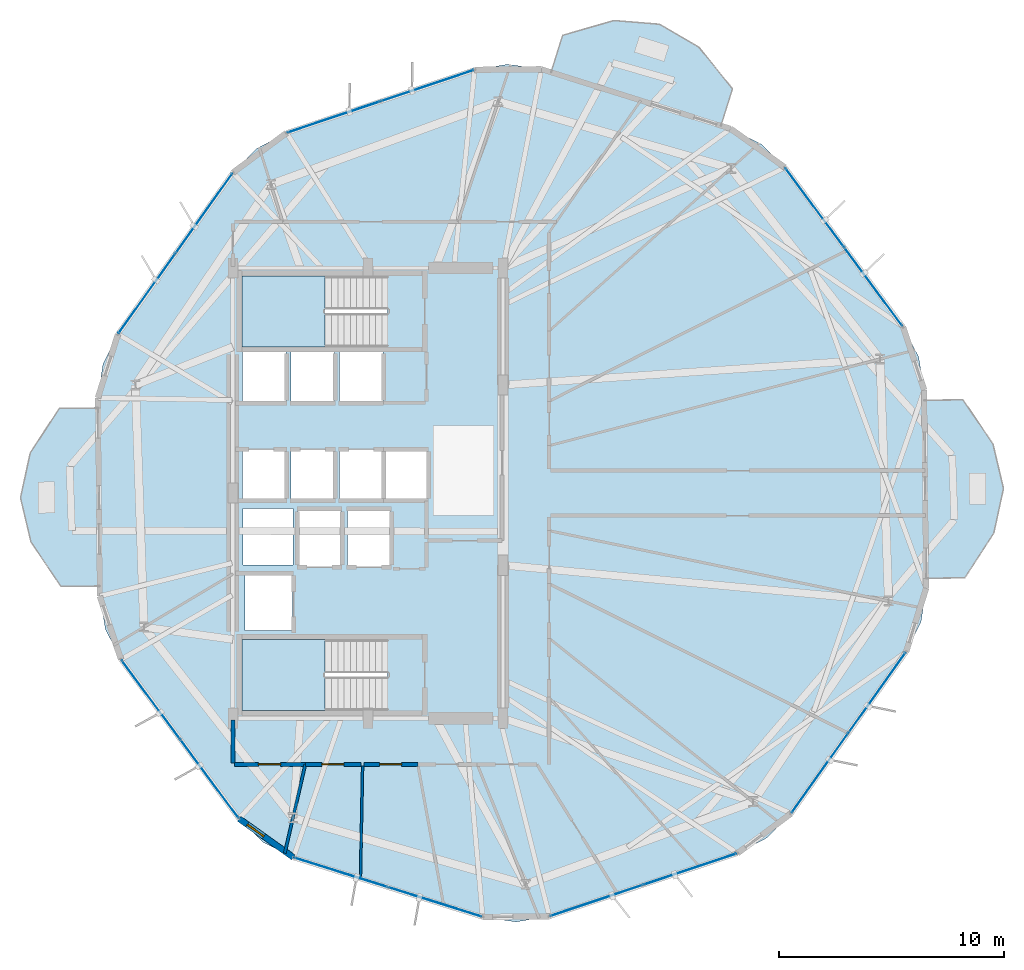
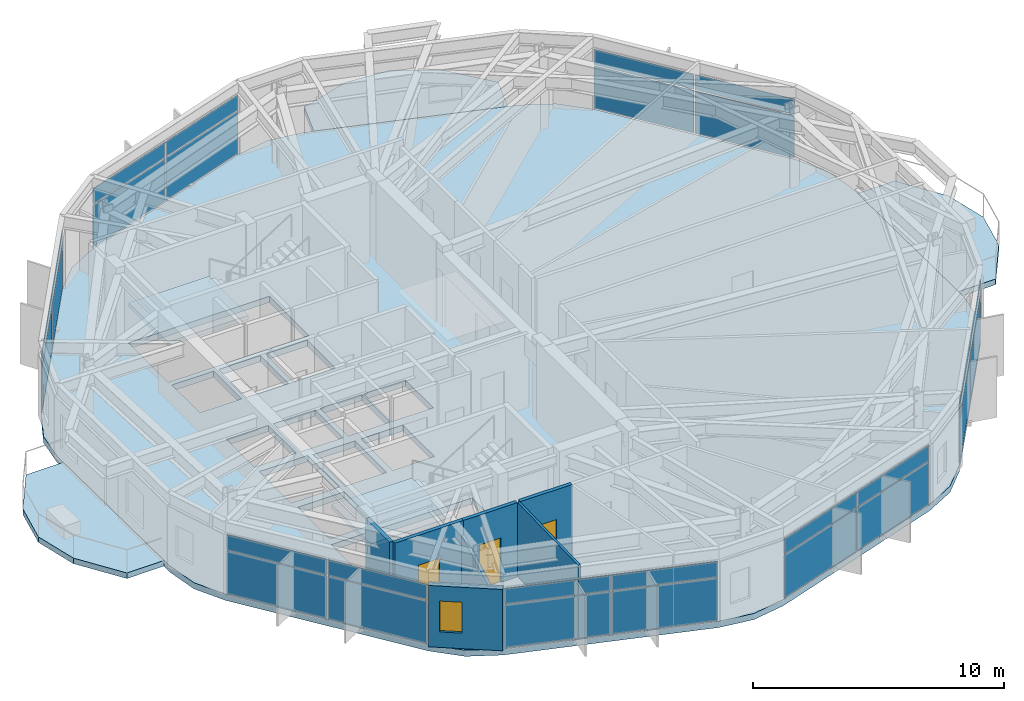
# One storey, part 20 of 27: 28 plates, 7 walls, 6 slabs, 3 doors, 1 window, 4 openings, 9 elements without a shape of their own.
"""IFC4 building model written with IfcOpenShell, lengths in metres."""

from ifc_helpers import new_model, si_unit, direction, frame, frame_2d, origin, origin_2d, place, context, subcontext, project, spatial, polyline, rectangle, outline, extrude, material, layer, layer_set, type_object, element, fill, aggregate, save


model = new_model("IFC4")

# Units and contexts
model_context = context("Model", 3, precision=1e-05, world=origin(), true_north=direction((0.0, 1.0)))
body_context = subcontext(model_context, "Body", "Model", "MODEL_VIEW")
ifc_project = project(units=[si_unit("LENGTHUNIT", "METRE"), si_unit("AREAUNIT", "SQUARE_METRE"), si_unit("VOLUMEUNIT", "CUBIC_METRE"), si_unit("PLANEANGLEUNIT", "RADIAN"), si_unit("MASSUNIT", "GRAM", prefix="KILO")], contexts=[model_context])

# Site, building, storey
site_placement = place(None, origin())
site = spatial("IfcSite", under=ifc_project, at=site_placement, CompositionType="ELEMENT")
building_placement = place(site_placement, origin())
building = spatial("IfcBuilding", under=site, at=building_placement, Name="Soratama Intermodal Tower", CompositionType="ELEMENT")
storey_placement = place(building_placement, frame((0.0, 0.0, 103.0)))
storey = spatial("IfcBuildingStorey", under=building, at=storey_placement, Name="L24", CompositionType="ELEMENT", Elevation=103.0)

# Curtain wall, plates
ifc_material_1 = material(Name="Double-glazed aluminium curtain wall", Category="aluminium")
ifc_layer_1 = layer(ifc_material_1, 0.159912109375)
ifc_layer_set_1 = layer_set([ifc_layer_1], Name="Double-glazed aluminium curtain wall")
curtain_wall_type = type_object("IfcCurtainWallType", Name="CW-SYS-3", PredefinedType="NOTDEFINED", material=ifc_layer_set_1)
curtain_wall_1_placement = place(storey_placement, origin())
curtain_wall_1 = element("IfcCurtainWall", 1, at=curtain_wall_1_placement, inside=storey, type_object=curtain_wall_type, Name="L24 Faceted Curtain Wall F01", PredefinedType="NOTDEFINED")
ifc_material_2 = material(Name="Low-E laminated double glazing", Category="glass")
ifc_layer_2 = layer(ifc_material_2, 0.028076171875)
ifc_layer_set_2 = layer_set([ifc_layer_2], Name="Low-E laminated double glazing")
plate_type = type_object("IfcPlateType", Name="PT-CWP-3", PredefinedType="CURTAIN_PANEL", material=ifc_layer_set_2)
plate_1_placement = place(storey_placement, frame((61.046630859375, 34.16943359375, 0.06005859375), z_axis=(0.0, 0.0, 1.0), x_axis=(-0.595382598685, 0.803442319761, 0.0)))
plate_1 = element("IfcPlate", 2, at=plate_1_placement, type_object=plate_type, Name="CW-3 panel 1.1", PredefinedType="CURTAIN_PANEL", context=body_context, shape_type="SweptSolid", body=[
    extrude(rectangle(XDim=4.313232421875, YDim=0.028076171875, at=origin_2d()), origin(), (0.0, 0.0, 1.0), 2.06005859375),
])
plate_2_placement = place(storey_placement, frame((61.046630859375, 34.16943359375, 2.18017578125), z_axis=(0.0, 0.0, 1.0), x_axis=(-0.595382598685, 0.803442319761, 0.0)))
plate_2 = element("IfcPlate", 3, at=plate_2_placement, type_object=plate_type, Name="CW-3 panel 1.2", PredefinedType="CURTAIN_PANEL", context=body_context, shape_type="SweptSolid", body=[
    extrude(rectangle(XDim=4.313232421875, YDim=0.028076171875, at=origin_2d()), origin(), (0.0, 0.0, 1.0), 0.739013671875),
])
plate_3_placement = place(storey_placement, frame((58.44287109375, 37.683349609375, 0.06005859375), z_axis=(0.0, 0.0, 1.0), x_axis=(-0.595382598685, 0.803442319761, 0.0)))
plate_3 = element("IfcPlate", 4, at=plate_3_placement, type_object=plate_type, Name="CW-3 panel 2.1", PredefinedType="CURTAIN_PANEL", context=body_context, shape_type="SweptSolid", body=[
    extrude(rectangle(XDim=4.313232421875, YDim=0.028076171875, at=origin_2d()), origin(), (0.0, 0.0, 1.0), 2.06005859375),
])
plate_4_placement = place(storey_placement, frame((58.44287109375, 37.683349609375, 2.18017578125), z_axis=(0.0, 0.0, 1.0), x_axis=(-0.595382598685, 0.803442319761, 0.0)))
plate_4 = element("IfcPlate", 5, at=plate_4_placement, type_object=plate_type, Name="CW-3 panel 2.2", PredefinedType="CURTAIN_PANEL", context=body_context, shape_type="SweptSolid", body=[
    extrude(rectangle(XDim=4.313232421875, YDim=0.028076171875, at=origin_2d()), origin(), (0.0, 0.0, 1.0), 0.739013671875),
])
aggregate(curtain_wall_1, [plate_1, plate_2, plate_3, plate_4])

curtain_wall_2_placement = place(storey_placement, origin())
curtain_wall_2 = element("IfcCurtainWall", 6, at=curtain_wall_2_placement, inside=storey, type_object=curtain_wall_type, Name="L24 Faceted Curtain Wall F03", PredefinedType="NOTDEFINED")
plate_5_placement = place(storey_placement, frame((41.23779296875, 43.0947265625, 0.06005859375), z_axis=(0.0, 0.0, 1.0), x_axis=(-0.948104874025, -0.317957776835, 0.0)))
plate_5 = element("IfcPlate", 7, at=plate_5_placement, type_object=plate_type, Name="CW-3 panel 1.1", PredefinedType="CURTAIN_PANEL", context=body_context, shape_type="SweptSolid", body=[
    extrude(rectangle(XDim=4.313232421875, YDim=0.028076171875, at=origin_2d()), origin(), (0.0, 0.0, 1.0), 2.06005859375),
])
plate_6_placement = place(storey_placement, frame((41.23779296875, 43.0947265625, 2.18017578125), z_axis=(0.0, 0.0, 1.0), x_axis=(-0.948104874025, -0.317957776835, 0.0)))
plate_6 = element("IfcPlate", 8, at=plate_6_placement, type_object=plate_type, Name="CW-3 panel 1.2", PredefinedType="CURTAIN_PANEL", context=body_context, shape_type="SweptSolid", body=[
    extrude(rectangle(XDim=4.313232421875, YDim=0.028076171875, at=origin_2d()), origin(), (0.0, 0.0, 1.0), 0.739013671875),
])
plate_7_placement = place(storey_placement, frame((37.091552734375, 41.7041015625, 0.06005859375), z_axis=(0.0, 0.0, 1.0), x_axis=(-0.948104874025, -0.317957776835, 0.0)))
plate_7 = element("IfcPlate", 9, at=plate_7_placement, type_object=plate_type, Name="CW-3 panel 2.1", PredefinedType="CURTAIN_PANEL", context=body_context, shape_type="SweptSolid", body=[
    extrude(rectangle(XDim=4.313232421875, YDim=0.028076171875, at=origin_2d()), origin(), (0.0, 0.0, 1.0), 2.06005859375),
])
plate_8_placement = place(storey_placement, frame((37.091552734375, 41.7041015625, 2.18017578125), z_axis=(0.0, 0.0, 1.0), x_axis=(-0.948104874025, -0.317957776835, 0.0)))
plate_8 = element("IfcPlate", 10, at=plate_8_placement, type_object=plate_type, Name="CW-3 panel 2.2", PredefinedType="CURTAIN_PANEL", context=body_context, shape_type="SweptSolid", body=[
    extrude(rectangle(XDim=4.313232421875, YDim=0.028076171875, at=origin_2d()), origin(), (0.0, 0.0, 1.0), 0.739013671875),
])
aggregate(curtain_wall_2, [plate_5, plate_6, plate_7, plate_8])

curtain_wall_3_placement = place(storey_placement, origin())
curtain_wall_3 = element("IfcCurtainWall", 11, at=curtain_wall_3_placement, inside=storey, type_object=curtain_wall_type, Name="L24 Faceted Curtain Wall F04", PredefinedType="NOTDEFINED")
plate_9_placement = place(storey_placement, frame((31.320556640625, 37.427490234375, 0.06005859375), z_axis=(0.0, 0.0, 1.0), x_axis=(-0.580136668585, -0.814519150028, 0.0)))
plate_9 = element("IfcPlate", 12, at=plate_9_placement, type_object=plate_type, Name="CW-3 panel 1.1", PredefinedType="CURTAIN_PANEL", context=body_context, shape_type="SweptSolid", body=[
    extrude(rectangle(XDim=4.313232421875, YDim=0.028076171875, at=origin_2d()), origin(), (0.0, 0.0, 1.0), 2.06005859375),
])
plate_10_placement = place(storey_placement, frame((31.320556640625, 37.427490234375, 2.18017578125), z_axis=(0.0, 0.0, 1.0), x_axis=(-0.580136668585, -0.814519150028, 0.0)))
plate_10 = element("IfcPlate", 13, at=plate_10_placement, type_object=plate_type, Name="CW-3 panel 1.2", PredefinedType="CURTAIN_PANEL", context=body_context, shape_type="SweptSolid", body=[
    extrude(rectangle(XDim=4.313232421875, YDim=0.028076171875, at=origin_2d()), origin(), (0.0, 0.0, 1.0), 0.739013671875),
])
plate_11_placement = place(storey_placement, frame((28.783447265625, 33.865478515625, 0.06005859375), z_axis=(0.0, 0.0, 1.0), x_axis=(-0.580136668585, -0.814519150028, 0.0)))
plate_11 = element("IfcPlate", 14, at=plate_11_placement, type_object=plate_type, Name="CW-3 panel 2.1", PredefinedType="CURTAIN_PANEL", context=body_context, shape_type="SweptSolid", body=[
    extrude(rectangle(XDim=4.313232421875, YDim=0.028076171875, at=origin_2d()), origin(), (0.0, 0.0, 1.0), 2.06005859375),
])
plate_12_placement = place(storey_placement, frame((28.783447265625, 33.865478515625, 2.18017578125), z_axis=(0.0, 0.0, 1.0), x_axis=(-0.580136668585, -0.814519150028, 0.0)))
plate_12 = element("IfcPlate", 15, at=plate_12_placement, type_object=plate_type, Name="CW-3 panel 2.2", PredefinedType="CURTAIN_PANEL", context=body_context, shape_type="SweptSolid", body=[
    extrude(rectangle(XDim=4.313232421875, YDim=0.028076171875, at=origin_2d()), origin(), (0.0, 0.0, 1.0), 0.739013671875),
])
aggregate(curtain_wall_3, [plate_9, plate_10, plate_11, plate_12])

curtain_wall_4_placement = place(storey_placement, origin())
curtain_wall_4 = element("IfcCurtainWall", 16, at=curtain_wall_4_placement, inside=storey, type_object=curtain_wall_type, Name="L24 Faceted Curtain Wall F06", PredefinedType="NOTDEFINED")
plate_13_placement = place(storey_placement, frame((28.953369140625, 15.83056640625, 0.06005859375), z_axis=(0.0, 0.0, 1.0), x_axis=(0.595382598685, -0.803442319761, 0.0)))
plate_13 = element("IfcPlate", 17, at=plate_13_placement, type_object=plate_type, Name="CW-3 panel 1.1", PredefinedType="CURTAIN_PANEL", context=body_context, shape_type="SweptSolid", body=[
    extrude(rectangle(XDim=4.313232421875, YDim=0.028076171875, at=origin_2d()), origin(), (0.0, 0.0, 1.0), 2.06005859375),
])
plate_14_placement = place(storey_placement, frame((28.953369140625, 15.83056640625, 2.18017578125), z_axis=(0.0, 0.0, 1.0), x_axis=(0.595382598685, -0.803442319761, 0.0)))
plate_14 = element("IfcPlate", 18, at=plate_14_placement, type_object=plate_type, Name="CW-3 panel 1.2", PredefinedType="CURTAIN_PANEL", context=body_context, shape_type="SweptSolid", body=[
    extrude(rectangle(XDim=4.313232421875, YDim=0.028076171875, at=origin_2d()), origin(), (0.0, 0.0, 1.0), 0.739013671875),
])
plate_15_placement = place(storey_placement, frame((31.55712890625, 12.316650390625, 0.06005859375), z_axis=(0.0, 0.0, 1.0), x_axis=(0.595382598685, -0.803442319761, 0.0)))
plate_15 = element("IfcPlate", 19, at=plate_15_placement, type_object=plate_type, Name="CW-3 panel 2.1", PredefinedType="CURTAIN_PANEL", context=body_context, shape_type="SweptSolid", body=[
    extrude(rectangle(XDim=4.313232421875, YDim=0.028076171875, at=origin_2d()), origin(), (0.0, 0.0, 1.0), 2.06005859375),
])
plate_16_placement = place(storey_placement, frame((31.55712890625, 12.316650390625, 2.18017578125), z_axis=(0.0, 0.0, 1.0), x_axis=(0.595382598685, -0.803442319761, 0.0)))
plate_16 = element("IfcPlate", 20, at=plate_16_placement, type_object=plate_type, Name="CW-3 panel 2.2", PredefinedType="CURTAIN_PANEL", context=body_context, shape_type="SweptSolid", body=[
    extrude(rectangle(XDim=4.313232421875, YDim=0.028076171875, at=origin_2d()), origin(), (0.0, 0.0, 1.0), 0.739013671875),
])
aggregate(curtain_wall_4, [plate_13, plate_14, plate_15, plate_16])

curtain_wall_5_placement = place(storey_placement, origin())
curtain_wall_5 = element("IfcCurtainWall", 21, at=curtain_wall_5_placement, inside=storey, type_object=curtain_wall_type, Name="L24 Faceted Curtain Wall F07", PredefinedType="NOTDEFINED")
plate_17_placement = place(storey_placement, frame((37.40771484375, 8.149658203125, 0.06005859375), z_axis=(0.0, 0.0, 1.0), x_axis=(0.953927156697, -0.300038297083, 0.0)))
plate_17 = element("IfcPlate", 22, at=plate_17_placement, type_object=plate_type, Name="CW-3 panel 1.1", PredefinedType="CURTAIN_PANEL", context=body_context, shape_type="SweptSolid", body=[
    extrude(rectangle(XDim=4.313232421875, YDim=0.028076171875, at=origin_2d()), origin(), (0.0, 0.0, 1.0), 2.06005859375),
])
plate_18_placement = place(storey_placement, frame((37.40771484375, 8.149658203125, 2.18017578125), z_axis=(0.0, 0.0, 1.0), x_axis=(0.953927156697, -0.300038297083, 0.0)))
plate_18 = element("IfcPlate", 23, at=plate_18_placement, type_object=plate_type, Name="CW-3 panel 1.2", PredefinedType="CURTAIN_PANEL", context=body_context, shape_type="SweptSolid", body=[
    extrude(rectangle(XDim=4.313232421875, YDim=0.028076171875, at=origin_2d()), origin(), (0.0, 0.0, 1.0), 0.739013671875),
])
plate_19_placement = place(storey_placement, frame((41.57958984375, 6.837646484375, 0.06005859375), z_axis=(0.0, 0.0, 1.0), x_axis=(0.953927156697, -0.300038297083, 0.0)))
plate_19 = element("IfcPlate", 24, at=plate_19_placement, type_object=plate_type, Name="CW-3 panel 2.1", PredefinedType="CURTAIN_PANEL", context=body_context, shape_type="SweptSolid", body=[
    extrude(rectangle(XDim=4.313232421875, YDim=0.028076171875, at=origin_2d()), origin(), (0.0, 0.0, 1.0), 2.06005859375),
])
plate_20_placement = place(storey_placement, frame((41.57958984375, 6.837646484375, 2.18017578125), z_axis=(0.0, 0.0, 1.0), x_axis=(0.953927156697, -0.300038297083, 0.0)))
plate_20 = element("IfcPlate", 25, at=plate_20_placement, type_object=plate_type, Name="CW-3 panel 2.2", PredefinedType="CURTAIN_PANEL", context=body_context, shape_type="SweptSolid", body=[
    extrude(rectangle(XDim=4.313232421875, YDim=0.028076171875, at=origin_2d()), origin(), (0.0, 0.0, 1.0), 0.739013671875),
])
aggregate(curtain_wall_5, [plate_17, plate_18, plate_19, plate_20])

curtain_wall_6_placement = place(storey_placement, origin())
curtain_wall_6 = element("IfcCurtainWall", 26, at=curtain_wall_6_placement, inside=storey, type_object=curtain_wall_type, Name="L24 Faceted Curtain Wall F08", PredefinedType="NOTDEFINED")
plate_21_placement = place(storey_placement, frame((48.76220703125, 6.9052734375, 0.06005859375), z_axis=(0.0, 0.0, 1.0), x_axis=(0.948104874025, 0.317957776835, 0.0)))
plate_21 = element("IfcPlate", 27, at=plate_21_placement, type_object=plate_type, Name="CW-3 panel 1.1", PredefinedType="CURTAIN_PANEL", context=body_context, shape_type="SweptSolid", body=[
    extrude(rectangle(XDim=4.313232421875, YDim=0.028076171875, at=origin_2d()), origin(), (0.0, 0.0, 1.0), 2.06005859375),
])
plate_22_placement = place(storey_placement, frame((48.76220703125, 6.9052734375, 2.18017578125), z_axis=(0.0, 0.0, 1.0), x_axis=(0.948104874025, 0.317957776835, 0.0)))
plate_22 = element("IfcPlate", 28, at=plate_22_placement, type_object=plate_type, Name="CW-3 panel 1.2", PredefinedType="CURTAIN_PANEL", context=body_context, shape_type="SweptSolid", body=[
    extrude(rectangle(XDim=4.313232421875, YDim=0.028076171875, at=origin_2d()), origin(), (0.0, 0.0, 1.0), 0.739013671875),
])
plate_23_placement = place(storey_placement, frame((52.908447265625, 8.2958984375, 0.06005859375), z_axis=(0.0, 0.0, 1.0), x_axis=(0.948104874025, 0.317957776835, 0.0)))
plate_23 = element("IfcPlate", 29, at=plate_23_placement, type_object=plate_type, Name="CW-3 panel 2.1", PredefinedType="CURTAIN_PANEL", context=body_context, shape_type="SweptSolid", body=[
    extrude(rectangle(XDim=4.313232421875, YDim=0.028076171875, at=origin_2d()), origin(), (0.0, 0.0, 1.0), 2.06005859375),
])
plate_24_placement = place(storey_placement, frame((52.908447265625, 8.2958984375, 2.18017578125), z_axis=(0.0, 0.0, 1.0), x_axis=(0.948104874025, 0.317957776835, 0.0)))
plate_24 = element("IfcPlate", 30, at=plate_24_placement, type_object=plate_type, Name="CW-3 panel 2.2", PredefinedType="CURTAIN_PANEL", context=body_context, shape_type="SweptSolid", body=[
    extrude(rectangle(XDim=4.313232421875, YDim=0.028076171875, at=origin_2d()), origin(), (0.0, 0.0, 1.0), 0.739013671875),
])
aggregate(curtain_wall_6, [plate_21, plate_22, plate_23, plate_24])

curtain_wall_7_placement = place(storey_placement, origin())
curtain_wall_7 = element("IfcCurtainWall", 31, at=curtain_wall_7_placement, inside=storey, type_object=curtain_wall_type, Name="L24 Faceted Curtain Wall F09", PredefinedType="NOTDEFINED")
plate_25_placement = place(storey_placement, frame((58.679443359375, 12.572509765625, 0.06005859375), z_axis=(0.0, 0.0, 1.0), x_axis=(0.580136668585, 0.814519150028, 0.0)))
plate_25 = element("IfcPlate", 32, at=plate_25_placement, type_object=plate_type, Name="CW-3 panel 1.1", PredefinedType="CURTAIN_PANEL", context=body_context, shape_type="SweptSolid", body=[
    extrude(rectangle(XDim=4.313232421875, YDim=0.028076171875, at=origin_2d()), origin(), (0.0, 0.0, 1.0), 2.06005859375),
])
plate_26_placement = place(storey_placement, frame((58.679443359375, 12.572509765625, 2.18017578125), z_axis=(0.0, 0.0, 1.0), x_axis=(0.580136668585, 0.814519150028, 0.0)))
plate_26 = element("IfcPlate", 33, at=plate_26_placement, type_object=plate_type, Name="CW-3 panel 1.2", PredefinedType="CURTAIN_PANEL", context=body_context, shape_type="SweptSolid", body=[
    extrude(rectangle(XDim=4.313232421875, YDim=0.028076171875, at=origin_2d()), origin(), (0.0, 0.0, 1.0), 0.739013671875),
])
plate_27_placement = place(storey_placement, frame((61.216552734375, 16.134521484375, 0.06005859375), z_axis=(0.0, 0.0, 1.0), x_axis=(0.580136668585, 0.814519150028, 0.0)))
plate_27 = element("IfcPlate", 34, at=plate_27_placement, type_object=plate_type, Name="CW-3 panel 2.1", PredefinedType="CURTAIN_PANEL", context=body_context, shape_type="SweptSolid", body=[
    extrude(rectangle(XDim=4.313232421875, YDim=0.028076171875, at=origin_2d()), origin(), (0.0, 0.0, 1.0), 2.06005859375),
])
plate_28_placement = place(storey_placement, frame((61.216552734375, 16.134521484375, 2.18017578125), z_axis=(0.0, 0.0, 1.0), x_axis=(0.580136668585, 0.814519150028, 0.0)))
plate_28 = element("IfcPlate", 35, at=plate_28_placement, type_object=plate_type, Name="CW-3 panel 2.2", PredefinedType="CURTAIN_PANEL", context=body_context, shape_type="SweptSolid", body=[
    extrude(rectangle(XDim=4.313232421875, YDim=0.028076171875, at=origin_2d()), origin(), (0.0, 0.0, 1.0), 0.739013671875),
])
aggregate(curtain_wall_7, [plate_25, plate_26, plate_27, plate_28])

# Slabs
ifc_material_3 = material(Name="Concrete f'c 42 MPa", Category="concrete")
ifc_layer_3 = layer(ifc_material_3, 0.27001953125)
ifc_layer_set_3 = layer_set([ifc_layer_3], Name="Concrete f'c 42 MPa")
slab_type_1 = type_object("IfcSlabType", Name="SL-EXT-BAL1", PredefinedType="FLOOR", material=ifc_layer_set_3)
slab_1_placement = place(storey_placement, frame((0.0, 0.0, -0.27001953125)))
element("IfcSlab", 36, at=slab_1_placement, inside=storey, type_object=slab_type_1, Name="L24 Planted Balcony East 1", PredefinedType="FLOOR", context=body_context, shape_type="SweptSolid", body=[
    extrude(outline(polyline([(63.388427734375, 21.219970703125), (63.313720703125, 29.1259765625), (65.03369140625, 29.14208984375), (66.36328125, 27.177978515625), (66.830810546875, 25.205810546875), (66.400390625, 23.22509765625), (65.1083984375, 21.236083984375), (63.388427734375, 21.219970703125)])), origin(), (0.0, 0.0, 1.0), 0.27001953125),
])
slab_2_placement = place(storey_placement, frame((0.0, 0.0, -0.27001953125)))
element("IfcSlab", 37, at=slab_2_placement, inside=storey, type_object=slab_type_1, Name="L24 Planted Balcony North 2", PredefinedType="FLOOR", context=body_context, shape_type="SweptSolid", body=[
    extrude(outline(polyline([(54.27734375, 41.3203125), (46.735107421875, 43.6923828125), (47.251220703125, 45.333251953125), (49.530029296875, 45.99072265625), (51.55029296875, 45.825927734375), (53.30126953125, 44.8046875), (54.79345703125, 42.9609375), (54.27734375, 41.3203125)])), origin(), (0.0, 0.0, 1.0), 0.27001953125),
])
slab_3_placement = place(storey_placement, frame((0.0, 0.0, -0.27001953125)))
element("IfcSlab", 38, at=slab_3_placement, inside=storey, type_object=slab_type_1, Name="L24 Planted Balcony West 3", PredefinedType="FLOOR", context=body_context, shape_type="SweptSolid", body=[
    extrude(outline(polyline([(26.611572265625, 28.780029296875), (26.686279296875, 20.8740234375), (24.96630859375, 20.85791015625), (23.63671875, 22.822021484375), (23.169189453125, 24.794189453125), (23.599609375, 26.77490234375), (24.8916015625, 28.763916015625), (26.611572265625, 28.780029296875)])), origin(), (0.0, 0.0, 1.0), 0.27001953125),
])

# Stair, slab
ifc_material_4 = material(Name="Concrete f'c 42 MPa", Category="concrete")
stair_type = type_object("IfcStairType", Name="ST-CORE-DOGLEG", PredefinedType="HALF_TURN_STAIR", material=ifc_material_4)
stair_1_placement = place(storey_placement, origin())
stair_1 = element("IfcStair", 39, at=stair_1_placement, inside=storey, type_object=stair_type, Name="L24 ST-1", PredefinedType="HALF_TURN_STAIR")
ifc_material_5 = material(Name="Concrete f'c 42 MPa", Category="concrete")
ifc_layer_4 = layer(ifc_material_5, 0.219970703125)
ifc_layer_set_4 = layer_set([ifc_layer_4], Name="Concrete f'c 42 MPa")
slab_type_2 = type_object("IfcSlabType", Name="SL-STAIR-LAND", PredefinedType="LANDING", material=ifc_layer_set_4)
slab_4_placement = place(storey_placement, frame((0.0, 0.0, 1.75)))
slab_4 = element("IfcSlab", 40, at=slab_4_placement, type_object=slab_type_2, Name="ST-1 landing 1", PredefinedType="LANDING", context=body_context, shape_type="SweptSolid", body=[
    extrude(outline(polyline([(36.699951171875, 18.5), (33.0, 18.5), (33.0, 15.35009765625), (36.699951171875, 15.35009765625), (36.699951171875, 18.5)])), origin(), (0.0, 0.0, 1.0), 0.199951171875),
])
aggregate(stair_1, [slab_4])

stair_2_placement = place(storey_placement, origin())
stair_2 = element("IfcStair", 41, at=stair_2_placement, inside=storey, type_object=stair_type, Name="L24 ST-2", PredefinedType="HALF_TURN_STAIR")
slab_5_placement = place(storey_placement, frame((0.0, 0.0, 1.75)))
slab_5 = element("IfcSlab", 42, at=slab_5_placement, type_object=slab_type_2, Name="ST-2 landing 1", PredefinedType="LANDING", context=body_context, shape_type="SweptSolid", body=[
    extrude(outline(polyline([(36.699951171875, 34.64990234375), (33.0, 34.64990234375), (33.0, 31.5), (36.699951171875, 31.5), (36.699951171875, 34.64990234375)])), origin(), (0.0, 0.0, 1.0), 0.199951171875),
])
aggregate(stair_2, [slab_5])

# Slab
ifc_material_6 = material(Name="Concrete f'c 42 MPa", Category="concrete")
ifc_layer_5 = layer(ifc_material_6, 0.280029296875)
ifc_layer_set_5 = layer_set([ifc_layer_5], Name="Concrete f'c 42 MPa")
slab_type_3 = type_object("IfcSlabType", Name="SL-TWR-280", PredefinedType="FLOOR", material=ifc_layer_set_5)
slab_6_placement = place(storey_placement, frame((0.0, 0.0, -0.300048828125)))
element("IfcSlab", 43, at=slab_6_placement, inside=storey, type_object=slab_type_3, Name="L24 Structural Floor Slab", PredefinedType="FLOOR", context=body_context, shape_type="SweptSolid", body=[
    extrude(outline(polyline([(63.3095703125, 29.575927734375), (63.060791015625, 31.056884765625), (62.3662109375, 32.388671875), (57.123046875, 39.464111328125), (56.051025390625, 40.51611328125), (54.706787109375, 41.185302734375), (46.305908203125, 43.827392578125), (44.820556640625, 44.04833984375), (43.339599609375, 43.799560546875), (34.989990234375, 40.99951171875), (33.658447265625, 40.304931640625), (32.6064453125, 39.233154296875), (27.49755859375, 32.06005859375), (26.828369140625, 30.715576171875), (26.607421875, 29.22998046875), (26.6904296875, 20.424072265625), (26.939208984375, 18.943115234375), (27.6337890625, 17.611328125), (32.876953125, 10.535888671875), (33.948974609375, 9.48388671875), (35.293212890625, 8.814697265625), (43.694091796875, 6.172607421875), (45.179443359375, 5.95166015625), (46.660400390625, 6.200439453125), (55.010009765625, 9.00048828125), (56.341552734375, 9.695068359375), (57.3935546875, 10.766845703125), (62.50244140625, 17.93994140625), (63.171630859375, 19.284423828125), (63.392578125, 20.77001953125), (63.3095703125, 29.575927734375)]), holes=[polyline([(33.0, 18.5), (33.0, 15.35009765625), (39.47509765625, 15.35009765625), (39.47509765625, 18.5), (33.0, 18.5)]), polyline([(35.260009765625, 18.889892578125), (35.260009765625, 21.409912109375), (33.139892578125, 21.409912109375), (33.139892578125, 18.889892578125), (35.260009765625, 18.889892578125)]), polyline([(33.050048828125, 21.800048828125), (35.280029296875, 21.800048828125), (35.280029296875, 24.320068359375), (33.050048828125, 24.320068359375), (33.050048828125, 21.800048828125)]), polyline([(34.9599609375, 26.909912109375), (33.0400390625, 26.909912109375), (33.0400390625, 24.68994140625), (34.9599609375, 24.68994140625), (34.9599609375, 26.909912109375)]), polyline([(37.110107421875, 24.68994140625), (37.110107421875, 26.909912109375), (35.18994140625, 26.909912109375), (35.18994140625, 24.68994140625), (37.110107421875, 24.68994140625)]), polyline([(34.9599609375, 29.0400390625), (34.9599609375, 31.260009765625), (33.0400390625, 31.260009765625), (33.0400390625, 29.0400390625), (34.9599609375, 29.0400390625)]), polyline([(37.110107421875, 31.260009765625), (35.18994140625, 31.260009765625), (35.18994140625, 29.0400390625), (37.110107421875, 29.0400390625), (37.110107421875, 31.260009765625)]), polyline([(37.409912109375, 21.739990234375), (37.409912109375, 24.260009765625), (35.489990234375, 24.260009765625), (35.489990234375, 21.739990234375), (37.409912109375, 21.739990234375)]), polyline([(39.610107421875, 21.739990234375), (39.610107421875, 24.260009765625), (37.68994140625, 24.260009765625), (37.68994140625, 21.739990234375), (39.610107421875, 21.739990234375)]), polyline([(39.260009765625, 24.68994140625), (39.260009765625, 26.909912109375), (37.340087890625, 26.909912109375), (37.340087890625, 24.68994140625), (39.260009765625, 24.68994140625)]), polyline([(41.260009765625, 24.68994140625), (41.260009765625, 26.909912109375), (39.340087890625, 26.909912109375), (39.340087890625, 24.68994140625), (41.260009765625, 24.68994140625)]), polyline([(39.260009765625, 29.0400390625), (39.260009765625, 31.260009765625), (37.340087890625, 31.260009765625), (37.340087890625, 29.0400390625), (39.260009765625, 29.0400390625)]), polyline([(39.47509765625, 34.64990234375), (33.0, 34.64990234375), (33.0, 31.5), (39.47509765625, 31.5), (39.47509765625, 34.64990234375)])]), origin(), (0.0, 0.0, 1.0), 0.300048828125),
])

# Wall, opening, window
ifc_material_7 = material(Name="Concrete f'c 42 MPa", Category="concrete")
ifc_layer_6 = layer(ifc_material_7, 0.27001953125)
ifc_layer_set_6 = layer_set([ifc_layer_6], Name="Concrete f'c 42 MPa")
wall_type_1 = type_object("IfcWallType", Name="EW-CRN-270", PredefinedType="SOLIDWALL", material=ifc_layer_set_6)
wall_1_placement = place(storey_placement, frame((32.876953125, 10.535888671875, 0.0), z_axis=(0.0, 0.0, 1.0), x_axis=(0.814483465487, -0.580186766867, 0.0)))
wall_1 = element("IfcWall", 44, at=wall_1_placement, inside=storey, type_object=wall_type_1, Name="L24 Corner Closure Wall 06", PredefinedType="SOLIDWALL", context=body_context, shape_type="SweptSolid", body=[
    extrude(rectangle(XDim=2.966552734375, YDim=0.27001953125, at=frame_2d((1.4833984375, 0.0))), origin(), (0.0, 0.0, 1.0), 2.97900390625),
])
opening_1_placement = place(wall_1_placement, frame((0.449951171875, 0.0, 0.75)))
opening_1 = element("IfcOpeningElement", 45, at=opening_1_placement, cuts=wall_1, Name="Opening WN-6", PredefinedType="OPENING", context=body_context, shape_type="SweptSolid", body=[
    extrude(rectangle(XDim=0.89990234375, YDim=1.5, at=frame_2d((0.449951171875, 0.75))), frame((0.0, 0.14501953125, 0.0), z_axis=(0.0, -1.0, 0.0), x_axis=(1.0, 0.0, 0.0)), (0.0, 0.0, 1.0), 0.2900390625),
])
ifc_material_8 = material(Name="Double-glazed aluminium window", Category="aluminium")
window_type = type_object("IfcWindowType", Name="WN-FAC-900", PartitioningType="SINGLE_PANEL", PredefinedType="WINDOW", material=ifc_material_8)
window_placement = place(opening_1_placement, origin())
window = element("IfcWindow", 46, at=window_placement, inside=storey, type_object=window_type, Name="L24 Corner Window 06", OverallHeight=1.5, OverallWidth=0.89990234375, PartitioningType="SINGLE_PANEL", PredefinedType="WINDOW", context=body_context, shape_type="SweptSolid", body=[
    extrude(rectangle(XDim=0.89990234375, YDim=1.5, at=frame_2d((0.449951171875, 0.75))), frame((0.0, 0.030029296875, 0.0), z_axis=(0.0, -1.0, 0.0), x_axis=(1.0, 0.0, 0.0)), (0.0, 0.0, 1.0), 0.06005859375),
])
fill(opening_1, window)

# Wall, opening, door
ifc_material_9 = material(Name="Fire-rated gypsum stud partition", Category="concrete")
ifc_layer_7 = layer(ifc_material_9, 0.169921875)
ifc_layer_set_7 = layer_set([ifc_layer_7], Name="Fire-rated gypsum stud partition")
wall_type_2 = type_object("IfcWallType", Name="IW-PART-R170", PredefinedType="PARTITIONING", material=ifc_layer_set_7)
wall_2_placement = place(storey_placement, frame((35.819091796875, 12.949951171875, 0.0), z_axis=(0.0, 0.0, 1.0), x_axis=(-1.0, 0.0, 0.0)))
wall_2 = element("IfcWall", 47, at=wall_2_placement, inside=storey, type_object=wall_type_2, Name="L24 Partition W-L24-TP024", PredefinedType="PARTITIONING", context=body_context, shape_type="SweptSolid", body=[
    extrude(rectangle(XDim=3.149169921875, YDim=0.169921875, at=frame_2d((1.57470703125, 0.0))), origin(), (0.0, 0.0, 1.0), 3.60009765625),
])
opening_2_placement = place(wall_2_placement, frame((1.10009765625, 0.0, 0.0)))
opening_2 = element("IfcOpeningElement", 48, at=opening_2_placement, cuts=wall_2, Name="Opening ID-5", PredefinedType="OPENING", context=body_context, shape_type="SweptSolid", body=[
    extrude(rectangle(XDim=0.97998046875, YDim=2.14990234375, at=frame_2d((0.489990234375, 1.074951171875))), frame((0.0, 0.094970703125, 0.0), z_axis=(0.0, -1.0, 0.0), x_axis=(1.0, 0.0, 0.0)), (0.0, 0.0, 1.0), 0.18994140625),
])
ifc_material_10 = material(Name="Solid hardwood acoustic door", Category="wood")
door_type = type_object("IfcDoorType", Name="DR-OFF-980", OperationType="NOTDEFINED", PredefinedType="DOOR", material=ifc_material_10)
door_1_placement = place(opening_2_placement, origin())
door_1 = element("IfcDoor", 49, at=door_1_placement, inside=storey, type_object=door_type, Name="L24 Door D-L24-TP008", OperationType="SINGLE_SWING_LEFT", OverallHeight=2.14990234375, OverallWidth=0.97998046875, PredefinedType="DOOR", context=body_context, shape_type="SweptSolid", body=[
    extrude(rectangle(XDim=0.97998046875, YDim=2.14990234375, at=frame_2d((0.489990234375, 1.074951171875))), frame((0.0, 0.02490234375, 0.0), z_axis=(0.0, -1.0, 0.0), x_axis=(1.0, 0.0, 0.0)), (0.0, 0.0, 1.0), 0.050048828125),
])
fill(opening_2, door_1)

wall_3_placement = place(storey_placement, frame((38.2939453125, 12.949951171875, 0.0), z_axis=(0.0, 0.0, 1.0), x_axis=(-1.0, 0.0, 0.0)))
wall_3 = element("IfcWall", 50, at=wall_3_placement, inside=storey, type_object=wall_type_2, Name="L24 Partition W-L24-TP029", PredefinedType="PARTITIONING", context=body_context, shape_type="SweptSolid", body=[
    extrude(rectangle(XDim=2.474853515625, YDim=0.169921875, at=frame_2d((1.2373046875, 0.0))), origin(), (0.0, 0.0, 1.0), 3.60009765625),
])
opening_3_placement = place(wall_3_placement, frame((0.761962890625, 0.0, 0.0)))
opening_3 = element("IfcOpeningElement", 51, at=opening_3_placement, cuts=wall_3, Name="Opening ID-5", PredefinedType="OPENING", context=body_context, shape_type="SweptSolid", body=[
    extrude(rectangle(XDim=0.97998046875, YDim=2.14990234375, at=frame_2d((0.489990234375, 1.074951171875))), frame((0.0, 0.094970703125, 0.0), z_axis=(0.0, -1.0, 0.0), x_axis=(1.0, 0.0, 0.0)), (0.0, 0.0, 1.0), 0.18994140625),
])
door_2_placement = place(opening_3_placement, origin())
door_2 = element("IfcDoor", 52, at=door_2_placement, inside=storey, type_object=door_type, Name="L24 Door D-L24-TP013", OperationType="SINGLE_SWING_RIGHT", OverallHeight=2.14990234375, OverallWidth=0.97998046875, PredefinedType="DOOR", context=body_context, shape_type="SweptSolid", body=[
    extrude(rectangle(XDim=0.97998046875, YDim=2.14990234375, at=frame_2d((0.489990234375, 1.074951171875))), frame((0.0, 0.02490234375, 0.0), z_axis=(0.0, -1.0, 0.0), x_axis=(1.0, 0.0, 0.0)), (0.0, 0.0, 1.0), 0.050048828125),
])
fill(opening_3, door_2)

wall_4_placement = place(storey_placement, frame((40.81494140625, 12.949951171875, 0.0), z_axis=(0.0, 0.0, 1.0), x_axis=(-1.0, 0.0, 0.0)))
wall_4 = element("IfcWall", 53, at=wall_4_placement, inside=storey, type_object=wall_type_2, Name="L24 Partition W-L24-TP031", PredefinedType="PARTITIONING", context=body_context, shape_type="SweptSolid", body=[
    extrude(rectangle(XDim=2.380859375, YDim=0.169921875, at=frame_2d((1.1904296875, 0.0))), origin(), (0.0, 0.0, 1.0), 3.60009765625),
])
opening_4_placement = place(wall_4_placement, frame((0.716064453125, 0.0, 0.0)))
opening_4 = element("IfcOpeningElement", 54, at=opening_4_placement, cuts=wall_4, Name="Opening ID-5", PredefinedType="OPENING", context=body_context, shape_type="SweptSolid", body=[
    extrude(rectangle(XDim=0.97998046875, YDim=2.14990234375, at=frame_2d((0.489990234375, 1.074951171875))), frame((0.0, 0.094970703125, 0.0), z_axis=(0.0, -1.0, 0.0), x_axis=(1.0, 0.0, 0.0)), (0.0, 0.0, 1.0), 0.18994140625),
])
door_3_placement = place(opening_4_placement, origin())
door_3 = element("IfcDoor", 55, at=door_3_placement, inside=storey, type_object=door_type, Name="L24 Door D-L24-TP015", OperationType="SINGLE_SWING_RIGHT", OverallHeight=2.14990234375, OverallWidth=0.97998046875, PredefinedType="DOOR", context=body_context, shape_type="SweptSolid", body=[
    extrude(rectangle(XDim=0.97998046875, YDim=2.14990234375, at=frame_2d((0.489990234375, 1.074951171875))), frame((0.0, 0.02490234375, 0.0), z_axis=(0.0, -1.0, 0.0), x_axis=(1.0, 0.0, 0.0)), (0.0, 0.0, 1.0), 0.050048828125),
])
fill(opening_4, door_3)

# Walls
wall_5_placement = place(storey_placement, frame((32.60009765625, 13.02001953125, 0.0), z_axis=(0.0, 0.0, 1.0), x_axis=(0.0, 1.0, 0.0)))
element("IfcWall", 56, at=wall_5_placement, inside=storey, type_object=wall_type_2, Name="L24 Partition W-L24-TP036", PredefinedType="PARTITIONING", context=body_context, shape_type="SweptSolid", body=[
    extrude(rectangle(XDim=1.909912109375, YDim=0.169921875, at=frame_2d((0.955078125, 0.0))), origin(), (0.0, 0.0, 1.0), 3.60009765625),
])
ifc_material_11 = material(Name="Fire-rated gypsum stud partition", Category="concrete")
ifc_layer_8 = layer(ifc_material_11, 0.110107421875)
ifc_layer_set_8 = layer_set([ifc_layer_8], Name="Fire-rated gypsum stud partition")
wall_type_3 = type_object("IfcWallType", Name="IW-PART-S110", PredefinedType="PARTITIONING", material=ifc_layer_set_8)
wall_6_placement = place(storey_placement, frame((38.364013671875, 12.87890625, 0.0), z_axis=(0.0, 0.0, 1.0), x_axis=(-0.019384909246, -0.999812094993, 0.0)))
element("IfcWall", 57, at=wall_6_placement, inside=storey, type_object=wall_type_3, Name="L24 Partition W-L24-TP018", PredefinedType="PARTITIONING", context=body_context, shape_type="SweptSolid", body=[
    extrude(rectangle(XDim=5.0, YDim=0.110107421875, at=frame_2d((2.5, 0.0))), origin(), (0.0, 0.0, 1.0), 3.60009765625),
])
ifc_material_12 = material(Name="Fire-rated gypsum stud partition", Category="concrete")
ifc_layer_9 = layer(ifc_material_12, 0.1298828125)
ifc_layer_set_9 = layer_set([ifc_layer_9], Name="Fire-rated gypsum stud partition")
wall_type_4 = type_object("IfcWallType", Name="IW-PART-S130", PredefinedType="PARTITIONING", material=ifc_layer_set_9)
wall_7_placement = place(storey_placement, frame((35.819091796875, 12.949951171875, 0.0), z_axis=(0.0, 0.0, 1.0), x_axis=(-0.22509737341, -0.974336272795, 0.0)))
element("IfcWall", 58, at=wall_7_placement, inside=storey, type_object=wall_type_4, Name="L24 Partition W-L24-TP021", PredefinedType="PARTITIONING", context=body_context, shape_type="SweptSolid", body=[
    extrude(rectangle(XDim=4.047607421875, YDim=0.1298828125, at=frame_2d((2.02392578125, 0.0))), origin(), (0.0, 0.0, 1.0), 2.89501953125),
])

save(model, "model.ifc")
